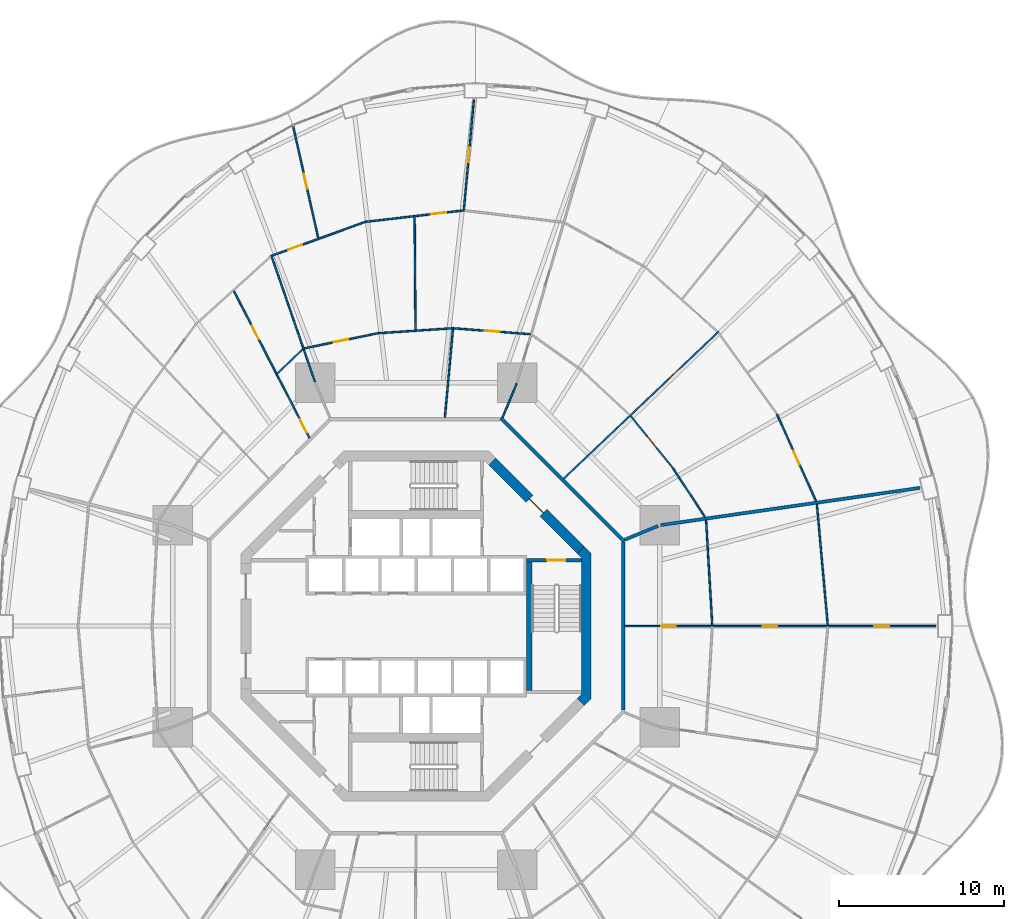
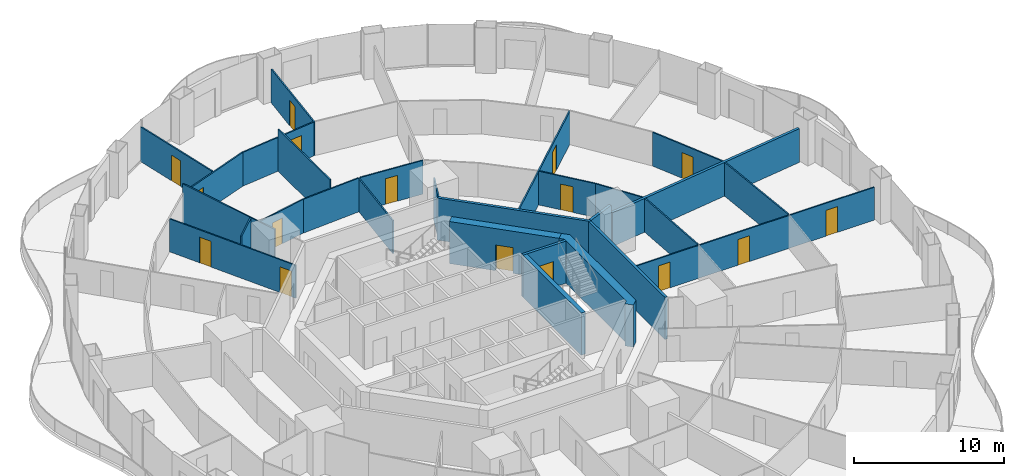
# One storey, part 18 of 22: 28 walls, 16 doors, 16 openings.
"""IFC4 building model written with IfcOpenShell, lengths in metres."""

from ifc_helpers import new_model, si_unit, direction, frame, frame_2d, origin, place, context, subcontext, project, spatial, polyline, rectangle, outline, extrude, material, layer, layer_set, type_object, element, fill, save


model = new_model("IFC4")

# Units and contexts
model_context = context("Model", 3, precision=1e-05, world=origin(), true_north=direction((0.0, 1.0)))
body_context = subcontext(model_context, "Body", "Model", "MODEL_VIEW")
ifc_project = project(units=[si_unit("LENGTHUNIT", "METRE"), si_unit("AREAUNIT", "SQUARE_METRE"), si_unit("VOLUMEUNIT", "CUBIC_METRE"), si_unit("PLANEANGLEUNIT", "RADIAN"), si_unit("MASSUNIT", "GRAM", prefix="KILO")], contexts=[model_context])

# Site, building, storey
site_placement = place(None, origin())
site = spatial("IfcSite", under=ifc_project, at=site_placement, CompositionType="ELEMENT")
building_placement = place(site_placement, origin())
building = spatial("IfcBuilding", under=site, at=building_placement, Name="Nagisa Residences", CompositionType="ELEMENT")
storey_placement = place(building_placement, frame((0.0, 0.0, 41.800048828125)))
storey = spatial("IfcBuildingStorey", under=building, at=storey_placement, Name="L09", CompositionType="ELEMENT", Elevation=41.800048828125)

# Walls
ifc_material_1 = material(Name="Gypsum board on steel studs", Category="steel")
ifc_layer_1 = layer(ifc_material_1, 0.199951171875)
ifc_layer_set_1 = layer_set([ifc_layer_1], Name="Apartment compartment wall EI60 200")
wall_type_1 = type_object("IfcWallType", Name="Apartment compartment wall EI60 200", PredefinedType="PARTITIONING", material=ifc_layer_set_1)
wall_1_placement = place(storey_placement, frame((12.6572265625, 5.24267578125, 0.0), z_axis=(0.0, 0.0, 1.0), x_axis=(0.923853160736, 0.382747093259, 0.0)))
element("IfcWall", 1, at=wall_1_placement, inside=storey, type_object=wall_type_1, Name="wall:L09:u00", PredefinedType="PARTITIONING", context=body_context, shape_type="SweptSolid", body=[
    extrude(rectangle(XDim=2.199951171875, YDim=0.199951171875, at=frame_2d((1.10009765625, 0.0))), origin(), (0.0, 0.0, 1.0), 3.43994140625),
])
wall_2_placement = place(storey_placement, frame((14.83154296875, 6.130126953125, 0.0), z_axis=(0.0, 0.0, 1.0), x_axis=(0.989836541293, 0.142209779978, 0.0)))
element("IfcWall", 2, at=wall_2_placement, inside=storey, type_object=wall_type_1, Name="wall:L09:u01", PredefinedType="PARTITIONING", context=body_context, shape_type="SweptSolid", body=[
    extrude(rectangle(XDim=15.9091796875, YDim=0.199951171875, at=frame_2d((7.95458984375, 0.0))), origin(), (0.0, 0.0, 1.0), 2.755859375),
])
ifc_material_2 = material(Name="Gypsum board on steel studs", Category="steel")
ifc_layer_2 = layer(ifc_material_2, 0.199951171875)
ifc_layer_set_2 = layer_set([ifc_layer_2], Name="Apartment entry wall EI60 200")
wall_type_2 = type_object("IfcWallType", Name="Apartment entry wall EI60 200", PredefinedType="PARTITIONING", material=ifc_layer_set_2)
wall_3_placement = place(storey_placement, frame((12.564697265625, -5.1044921875, 0.0), z_axis=(0.0, 0.0, 1.0), x_axis=(0.0, 1.0, 0.0)))
element("IfcWall", 3, at=wall_3_placement, inside=storey, type_object=wall_type_2, Name="wall:L09:u06", PredefinedType="PARTITIONING", context=body_context, shape_type="SweptSolid", body=[
    extrude(rectangle(XDim=10.208984375, YDim=0.199951171875, at=frame_2d((5.1044921875, 0.0))), origin(), (0.0, 0.0, 1.0), 3.43994140625),
])
wall_4_placement = place(storey_placement, frame((12.635498046875, 5.1337890625, 0.0), z_axis=(0.0, 0.0, 1.0), x_axis=(-0.707106781187, 0.707106781187, 0.0)))
element("IfcWall", 4, at=wall_4_placement, inside=storey, type_object=wall_type_2, Name="wall:L09:u07", PredefinedType="PARTITIONING", context=body_context, shape_type="SweptSolid", body=[
    extrude(rectangle(XDim=10.609130859375, YDim=0.199951171875, at=frame_2d((5.3046875, 0.0))), origin(), (0.0, 0.0, 1.0), 3.43994140625),
])

# Wall, openings, doors
ifc_material_3 = material(Name="Gypsum board on steel studs", Category="steel")
ifc_layer_3 = layer(ifc_material_3, 0.10009765625)
ifc_layer_set_3 = layer_set([ifc_layer_3], Name="Apartment partition 100")
wall_type_3 = type_object("IfcWallType", Name="Apartment partition 100", PredefinedType="PARTITIONING", material=ifc_layer_set_3)
wall_5_placement = place(storey_placement, frame((12.664794921875, 0.0, 0.0), z_axis=(0.0, 0.0, 1.0), x_axis=(1.0, 0.0, 0.0)))
wall_5 = element("IfcWall", 5, at=wall_5_placement, inside=storey, type_object=wall_type_3, Name="wall:L09:u14", PredefinedType="PARTITIONING", context=body_context, shape_type="SweptSolid", body=[
    extrude(rectangle(XDim=18.88525390625, YDim=0.10009765625, at=frame_2d((9.442626953125, 0.0))), origin(), (0.0, 0.0, 1.0), 2.68701171875),
])
opening_1_placement = place(wall_5_placement, frame((2.204833984375, 0.0, 0.0)))
opening_1 = element("IfcOpeningElement", 6, at=opening_1_placement, cuts=wall_5, Name="Opening L09-U41", PredefinedType="OPENING", context=body_context, shape_type="SweptSolid", body=[
    extrude(rectangle(XDim=0.89990234375, YDim=2.10009765625, at=frame_2d((0.449951171875, 1.050048828125))), frame((0.0, 0.06005859375, 0.0), z_axis=(0.0, -1.0, 0.0), x_axis=(1.0, 0.0, 0.0)), (0.0, 0.0, 1.0), 0.1201171875),
])
opening_2_placement = place(wall_5_placement, frame((8.36572265625, 0.0, 0.0)))
opening_2 = element("IfcOpeningElement", 7, at=opening_2_placement, cuts=wall_5, Name="Opening L09-U45", PredefinedType="OPENING", context=body_context, shape_type="SweptSolid", body=[
    extrude(rectangle(XDim=0.89990234375, YDim=2.10009765625, at=frame_2d((0.449951171875, 1.050048828125))), frame((0.0, 0.06005859375, 0.0), z_axis=(0.0, -1.0, 0.0), x_axis=(1.0, 0.0, 0.0)), (0.0, 0.0, 1.0), 0.1201171875),
])
opening_3_placement = place(wall_5_placement, frame((15.153564453125, 0.0, 0.0)))
opening_3 = element("IfcOpeningElement", 8, at=opening_3_placement, cuts=wall_5, Name="Opening L09-U49", PredefinedType="OPENING", context=body_context, shape_type="SweptSolid", body=[
    extrude(rectangle(XDim=0.89990234375, YDim=2.10009765625, at=frame_2d((0.449951171875, 1.050048828125))), frame((0.0, 0.06005859375, 0.0), z_axis=(0.0, -1.0, 0.0), x_axis=(1.0, 0.0, 0.0)), (0.0, 0.0, 1.0), 0.1201171875),
])
ifc_material_4 = material(Name="Timber door set", Category="wood")
door_type_1 = type_object("IfcDoorType", Name="Apartment door 900x2100", OperationType="NOTDEFINED", PredefinedType="DOOR", material=ifc_material_4)
door_1_placement = place(opening_1_placement, origin())
door_1 = element("IfcDoor", 9, at=door_1_placement, inside=storey, type_object=door_type_1, Name="Door to store, Apartment 09C", OperationType="SINGLE_SWING_LEFT", OverallHeight=2.10009765625, OverallWidth=0.89990234375, PredefinedType="DOOR", context=body_context, shape_type="SweptSolid", body=[
    extrude(rectangle(XDim=0.89990234375, YDim=2.10009765625, at=frame_2d((0.449951171875, 1.050048828125))), frame((0.0, 0.02490234375, 0.0), z_axis=(0.0, -1.0, 0.0), x_axis=(1.0, 0.0, 0.0)), (0.0, 0.0, 1.0), 0.050048828125),
])
fill(opening_1, door_1)
door_2_placement = place(opening_2_placement, origin())
door_2 = element("IfcDoor", 10, at=door_2_placement, inside=storey, type_object=door_type_1, Name="Door to family room, Apartment 09C", OperationType="SINGLE_SWING_LEFT", OverallHeight=2.10009765625, OverallWidth=0.89990234375, PredefinedType="DOOR", context=body_context, shape_type="SweptSolid", body=[
    extrude(rectangle(XDim=0.89990234375, YDim=2.10009765625, at=frame_2d((0.449951171875, 1.050048828125))), frame((0.0, 0.02490234375, 0.0), z_axis=(0.0, -1.0, 0.0), x_axis=(1.0, 0.0, 0.0)), (0.0, 0.0, 1.0), 0.050048828125),
])
fill(opening_2, door_2)
door_3_placement = place(opening_3_placement, origin())
door_3 = element("IfcDoor", 11, at=door_3_placement, inside=storey, type_object=door_type_1, Name="Door to family room, Apartment 09C", OperationType="SINGLE_SWING_LEFT", OverallHeight=2.10009765625, OverallWidth=0.89990234375, PredefinedType="DOOR", context=body_context, shape_type="SweptSolid", body=[
    extrude(rectangle(XDim=0.89990234375, YDim=2.10009765625, at=frame_2d((0.449951171875, 1.050048828125))), frame((0.0, 0.02490234375, 0.0), z_axis=(0.0, -1.0, 0.0), x_axis=(1.0, 0.0, 0.0)), (0.0, 0.0, 1.0), 0.050048828125),
])
fill(opening_3, door_3)

# Walls
wall_6_placement = place(storey_placement, frame((17.971435546875, 0.0498046875, 0.0), z_axis=(0.0, 0.0, 1.0), x_axis=(-0.058513659907, 0.998286607946, 0.0)))
element("IfcWall", 12, at=wall_6_placement, inside=storey, type_object=wall_type_3, Name="wall:L09:u15", PredefinedType="PARTITIONING", context=body_context, shape_type="SweptSolid", body=[
    extrude(rectangle(XDim=6.387939453125, YDim=0.10009765625, at=frame_2d((3.19384765625, 0.0))), origin(), (0.0, 0.0, 1.0), 2.755859375),
])
wall_7_placement = place(storey_placement, frame((24.982177734375, 0.0498046875, 0.0), z_axis=(0.0, 0.0, 1.0), x_axis=(-0.08944290521, 0.995991951126, 0.0)))
element("IfcWall", 13, at=wall_7_placement, inside=storey, type_object=wall_type_3, Name="wall:L09:u17", PredefinedType="PARTITIONING", context=body_context, shape_type="SweptSolid", body=[
    extrude(rectangle(XDim=7.37255859375, YDim=0.10009765625, at=frame_2d((3.686279296875, 0.0))), origin(), (0.0, 0.0, 1.0), 2.755859375),
])
wall_8_placement = place(storey_placement, frame((17.537109375, 6.6103515625, 0.0), z_axis=(0.0, 0.0, 1.0), x_axis=(-0.547637987196, 0.836715384692, 0.0)))
element("IfcWall", 14, at=wall_8_placement, inside=storey, type_object=wall_type_3, Name="wall:L09:u19", PredefinedType="PARTITIONING", context=body_context, shape_type="SweptSolid", body=[
    extrude(rectangle(XDim=3.52001953125, YDim=0.10009765625, at=frame_2d((1.760009765625, 0.0))), origin(), (0.0, 0.0, 1.0), 2.755859375),
])

# Wall, opening, door
wall_9_placement = place(storey_placement, frame((24.272705078125, 7.583740234375, 0.0), z_axis=(0.0, 0.0, 1.0), x_axis=(-0.410201529109, 0.911994904326, 0.0)))
wall_9 = element("IfcWall", 15, at=wall_9_placement, inside=storey, type_object=wall_type_3, Name="wall:L09:u20", PredefinedType="PARTITIONING", context=body_context, shape_type="SweptSolid", body=[
    extrude(rectangle(XDim=5.786865234375, YDim=0.10009765625, at=frame_2d((2.8935546875, 0.0))), origin(), (0.0, 0.0, 1.0), 2.755859375),
])
opening_4_placement = place(wall_9_placement, frame((2.443603515625, 0.0, 0.0)))
opening_4 = element("IfcOpeningElement", 16, at=opening_4_placement, cuts=wall_9, Name="Opening L09-U19", PredefinedType="OPENING", context=body_context, shape_type="SweptSolid", body=[
    extrude(rectangle(XDim=0.89990234375, YDim=2.10009765625, at=frame_2d((0.449951171875, 1.050048828125))), frame((0.0, 0.06005859375, 0.0), z_axis=(0.0, -1.0, 0.0), x_axis=(1.0, 0.0, 0.0)), (0.0, 0.0, 1.0), 0.1201171875),
])
door_4_placement = place(opening_4_placement, frame((0.89990234375, 0.0, 0.0), x_axis=(-1.0, 0.0, 0.0)))
door_4 = element("IfcDoor", 17, at=door_4_placement, inside=storey, type_object=door_type_1, Name="Door to family room, Apartment 09A", OperationType="SINGLE_SWING_RIGHT", OverallHeight=2.10009765625, OverallWidth=0.89990234375, PredefinedType="DOOR", context=body_context, shape_type="SweptSolid", body=[
    extrude(rectangle(XDim=0.89990234375, YDim=2.10009765625, at=frame_2d((0.449951171875, 1.050048828125))), frame((0.0, 0.02490234375, 0.0), z_axis=(0.0, -1.0, 0.0), x_axis=(1.0, 0.0, 0.0)), (0.0, 0.0, 1.0), 0.050048828125),
])
fill(opening_4, door_4)

wall_10_placement = place(storey_placement, frame((15.613525390625, 9.55859375, 0.0), z_axis=(0.0, 0.0, 1.0), x_axis=(-0.63012473344, 0.776493928056, 0.0)))
wall_10 = element("IfcWall", 18, at=wall_10_placement, inside=storey, type_object=wall_type_3, Name="wall:L09:u21", PredefinedType="PARTITIONING", context=body_context, shape_type="SweptSolid", body=[
    extrude(rectangle(XDim=4.1064453125, YDim=0.10009765625, at=frame_2d((2.05322265625, 0.0))), origin(), (0.0, 0.0, 1.0), 2.755859375),
])
opening_5_placement = place(wall_10_placement, frame((1.628173828125, 0.0, 0.0)))
opening_5 = element("IfcOpeningElement", 19, at=opening_5_placement, cuts=wall_10, Name="Opening L09-U20", PredefinedType="OPENING", context=body_context, shape_type="SweptSolid", body=[
    extrude(rectangle(XDim=0.89990234375, YDim=2.10009765625, at=frame_2d((0.449951171875, 1.050048828125))), frame((0.0, 0.06005859375, 0.0), z_axis=(0.0, -1.0, 0.0), x_axis=(1.0, 0.0, 0.0)), (0.0, 0.0, 1.0), 0.1201171875),
])
door_5_placement = place(opening_5_placement, origin())
door_5 = element("IfcDoor", 20, at=door_5_placement, inside=storey, type_object=door_type_1, Name="Door to laundry, Apartment 09A", OperationType="SINGLE_SWING_RIGHT", OverallHeight=2.10009765625, OverallWidth=0.89990234375, PredefinedType="DOOR", context=body_context, shape_type="SweptSolid", body=[
    extrude(rectangle(XDim=0.89990234375, YDim=2.10009765625, at=frame_2d((0.449951171875, 1.050048828125))), frame((0.0, 0.02490234375, 0.0), z_axis=(0.0, -1.0, 0.0), x_axis=(1.0, 0.0, 0.0)), (0.0, 0.0, 1.0), 0.050048828125),
])
fill(opening_5, door_5)

wall_11_placement = place(storey_placement, frame((8.95703125, 8.953369140625, 0.0), z_axis=(0.0, 0.0, 1.0), x_axis=(0.725250022034, 0.688485588476, 0.0)))
wall_11 = element("IfcWall", 21, at=wall_11_placement, inside=storey, type_object=wall_type_3, Name="wall:L09:u24", PredefinedType="PARTITIONING", context=body_context, shape_type="SweptSolid", body=[
    extrude(rectangle(XDim=12.962646484375, YDim=0.10009765625, at=frame_2d((6.4814453125, 0.0))), origin(), (0.0, 0.0, 1.0), 2.68701171875),
])
opening_6_placement = place(wall_11_placement, frame((8.78955078125, 0.0, 0.0)))
opening_6 = element("IfcOpeningElement", 22, at=opening_6_placement, cuts=wall_11, Name="Opening L09-U18", PredefinedType="OPENING", context=body_context, shape_type="SweptSolid", body=[
    extrude(rectangle(XDim=0.89990234375, YDim=2.10009765625, at=frame_2d((0.449951171875, 1.050048828125))), frame((0.0, 0.06005859375, 0.0), z_axis=(0.0, -1.0, 0.0), x_axis=(1.0, 0.0, 0.0)), (0.0, 0.0, 1.0), 0.1201171875),
])
door_6_placement = place(opening_6_placement, frame((0.89990234375, 0.0, 0.0), x_axis=(-1.0, 0.0, 0.0)))
door_6 = element("IfcDoor", 23, at=door_6_placement, inside=storey, type_object=door_type_1, Name="Door to dining room, Apartment 09A", OperationType="SINGLE_SWING_LEFT", OverallHeight=2.10009765625, OverallWidth=0.89990234375, PredefinedType="DOOR", context=body_context, shape_type="SweptSolid", body=[
    extrude(rectangle(XDim=0.89990234375, YDim=2.10009765625, at=frame_2d((0.449951171875, 1.050048828125))), frame((0.0, 0.02490234375, 0.0), z_axis=(0.0, -1.0, 0.0), x_axis=(1.0, 0.0, 0.0)), (0.0, 0.0, 1.0), 0.050048828125),
])
fill(opening_6, door_6)

# Wall
wall_12_placement = place(storey_placement, frame((5.24267578125, 12.6572265625, 0.0), z_axis=(0.0, 0.0, 1.0), x_axis=(0.382719158442, 0.923864733477, 0.0)))
element("IfcWall", 24, at=wall_12_placement, inside=storey, type_object=wall_type_3, Name="wall:L09:u30", PredefinedType="PARTITIONING", context=body_context, shape_type="SweptSolid", body=[
    extrude(rectangle(XDim=2.25, YDim=0.10009765625, at=frame_2d((1.125, 0.0))), origin(), (0.0, 0.0, 1.0), 3.43994140625),
])

# Wall, opening, door
wall_13_placement = place(storey_placement, frame((6.92822265625, 17.71923828125, 0.0), z_axis=(0.0, 0.0, 1.0), x_axis=(-0.997017959142, 0.077169872028, 0.0)))
wall_13 = element("IfcWall", 25, at=wall_13_placement, inside=storey, type_object=wall_type_3, Name="wall:L09:u32", PredefinedType="PARTITIONING", context=body_context, shape_type="SweptSolid", body=[
    extrude(rectangle(XDim=4.65380859375, YDim=0.10009765625, at=frame_2d((2.326904296875, 0.0))), origin(), (0.0, 0.0, 1.0), 2.755859375),
])
opening_7_placement = place(wall_13_placement, frame((1.876953125, 0.0, 0.0)))
opening_7 = element("IfcOpeningElement", 26, at=opening_7_placement, cuts=wall_13, Name="Opening L09-U13", PredefinedType="OPENING", context=body_context, shape_type="SweptSolid", body=[
    extrude(rectangle(XDim=0.89990234375, YDim=2.10009765625, at=frame_2d((0.449951171875, 1.050048828125))), frame((0.0, 0.06005859375, 0.0), z_axis=(0.0, -1.0, 0.0), x_axis=(1.0, 0.0, 0.0)), (0.0, 0.0, 1.0), 0.1201171875),
])
door_7_placement = place(opening_7_placement, origin())
door_7 = element("IfcDoor", 27, at=door_7_placement, inside=storey, type_object=door_type_1, Name="Door to laundry, Apartment 09A", OperationType="SINGLE_SWING_LEFT", OverallHeight=2.10009765625, OverallWidth=0.89990234375, PredefinedType="DOOR", context=body_context, shape_type="SweptSolid", body=[
    extrude(rectangle(XDim=0.89990234375, YDim=2.10009765625, at=frame_2d((0.449951171875, 1.050048828125))), frame((0.0, 0.02490234375, 0.0), z_axis=(0.0, -1.0, 0.0), x_axis=(1.0, 0.0, 0.0)), (0.0, 0.0, 1.0), 0.050048828125),
])
fill(opening_7, door_7)

# Walls
wall_14_placement = place(storey_placement, frame((1.743896484375, 12.664306640625, 0.0), z_axis=(0.0, 0.0, 1.0), x_axis=(0.090888552747, 0.995861070119, 0.0)))
element("IfcWall", 28, at=wall_14_placement, inside=storey, type_object=wall_type_3, Name="wall:L09:u34", PredefinedType="PARTITIONING", context=body_context, shape_type="SweptSolid", body=[
    extrude(rectangle(XDim=5.490478515625, YDim=0.10009765625, at=frame_2d((2.7451171875, 0.0))), origin(), (0.0, 0.0, 1.0), 2.68701171875),
])
wall_15_placement = place(storey_placement, frame((2.1884765625, 18.078857421875, 0.0), z_axis=(0.0, 0.0, 1.0), x_axis=(-0.997791437766, -0.066424744789, 0.0)))
element("IfcWall", 29, at=wall_15_placement, inside=storey, type_object=wall_type_3, Name="wall:L09:u35", PredefinedType="PARTITIONING", context=body_context, shape_type="SweptSolid", body=[
    extrude(rectangle(XDim=4.46923828125, YDim=0.10009765625, at=frame_2d((2.234619140625, 0.0))), origin(), (0.0, 0.0, 1.0), 2.755859375),
])

# Wall, opening, door
wall_16_placement = place(storey_placement, frame((2.88671875, 25.184814453125, 0.0), z_axis=(0.0, 0.0, 1.0), x_axis=(0.090885272046, 0.995861369531, 0.0)))
wall_16 = element("IfcWall", 30, at=wall_16_placement, inside=storey, type_object=wall_type_3, Name="wall:L09:u36", PredefinedType="PARTITIONING", context=body_context, shape_type="SweptSolid", body=[
    extrude(rectangle(XDim=6.801513671875, YDim=0.10009765625, at=frame_2d((3.40087890625, 0.0))), origin(), (0.0, 0.0, 1.0), 2.755859375),
])
opening_8_placement = place(wall_16_placement, frame((2.975830078125, 0.0, 0.0)))
opening_8 = element("IfcOpeningElement", 31, at=opening_8_placement, cuts=wall_16, Name="Opening L09-U12", PredefinedType="OPENING", context=body_context, shape_type="SweptSolid", body=[
    extrude(rectangle(XDim=0.89990234375, YDim=2.10009765625, at=frame_2d((0.449951171875, 1.050048828125))), frame((0.0, 0.06005859375, 0.0), z_axis=(0.0, -1.0, 0.0), x_axis=(1.0, 0.0, 0.0)), (0.0, 0.0, 1.0), 0.1201171875),
])
door_8_placement = place(opening_8_placement, frame((0.89990234375, 0.0, 0.0), x_axis=(-1.0, 0.0, 0.0)))
door_8 = element("IfcDoor", 32, at=door_8_placement, inside=storey, type_object=door_type_1, Name="Door to master bedroom, Apartment 09A", OperationType="SINGLE_SWING_LEFT", OverallHeight=2.10009765625, OverallWidth=0.89990234375, PredefinedType="DOOR", context=body_context, shape_type="SweptSolid", body=[
    extrude(rectangle(XDim=0.89990234375, YDim=2.10009765625, at=frame_2d((0.449951171875, 1.050048828125))), frame((0.0, 0.02490234375, 0.0), z_axis=(0.0, -1.0, 0.0), x_axis=(1.0, 0.0, 0.0)), (0.0, 0.0, 1.0), 0.050048828125),
])
fill(opening_8, door_8)

wall_17_placement = place(storey_placement, frame((2.841552734375, 25.228759765625, 0.0), z_axis=(0.0, 0.0, 1.0), x_axis=(-0.993255612046, -0.115945198862, 0.0)))
wall_17 = element("IfcWall", 33, at=wall_17_placement, inside=storey, type_object=wall_type_3, Name="wall:L09:u37", PredefinedType="PARTITIONING", context=body_context, shape_type="SweptSolid", body=[
    extrude(rectangle(XDim=5.91259765625, YDim=0.10009765625, at=frame_2d((2.956298828125, 0.0))), origin(), (0.0, 0.0, 1.0), 2.755859375),
])
opening_9_placement = place(wall_17_placement, frame((1.028076171875, 0.0, 0.0)))
opening_9 = element("IfcOpeningElement", 34, at=opening_9_placement, cuts=wall_17, Name="Opening L09-U11", PredefinedType="OPENING", context=body_context, shape_type="SweptSolid", body=[
    extrude(rectangle(XDim=0.89990234375, YDim=2.10009765625, at=frame_2d((0.449951171875, 1.050048828125))), frame((0.0, 0.06005859375, 0.0), z_axis=(0.0, -1.0, 0.0), x_axis=(1.0, 0.0, 0.0)), (0.0, 0.0, 1.0), 0.1201171875),
])
door_9_placement = place(opening_9_placement, origin())
door_9 = element("IfcDoor", 35, at=door_9_placement, inside=storey, type_object=door_type_1, Name="Door to dining room, Apartment 09A", OperationType="SINGLE_SWING_LEFT", OverallHeight=2.10009765625, OverallWidth=0.89990234375, PredefinedType="DOOR", context=body_context, shape_type="SweptSolid", body=[
    extrude(rectangle(XDim=0.89990234375, YDim=2.10009765625, at=frame_2d((0.449951171875, 1.050048828125))), frame((0.0, 0.02490234375, 0.0), z_axis=(0.0, -1.0, 0.0), x_axis=(1.0, 0.0, 0.0)), (0.0, 0.0, 1.0), 0.050048828125),
])
fill(opening_9, door_9)

# Wall
wall_18_placement = place(storey_placement, frame((-0.041748046875, 17.98046875, 0.0), z_axis=(0.0, 0.0, 1.0), x_axis=(-0.007692080119, 0.999970415514, 0.0)))
element("IfcWall", 36, at=wall_18_placement, inside=storey, type_object=wall_type_3, Name="wall:L09:u38", PredefinedType="PARTITIONING", context=body_context, shape_type="SweptSolid", body=[
    extrude(rectangle(XDim=6.855712890625, YDim=0.10009765625, at=frame_2d((3.427734375, 0.0))), origin(), (0.0, 0.0, 1.0), 3.43994140625),
])

# Wall, opening, door
wall_19_placement = place(storey_placement, frame((-2.27197265625, 17.788818359375, 0.0), z_axis=(0.0, 0.0, 1.0), x_axis=(-0.979587203416, -0.2010196779, 0.0)))
wall_19 = element("IfcWall", 37, at=wall_19_placement, inside=storey, type_object=wall_type_3, Name="wall:L09:u39", PredefinedType="PARTITIONING", context=body_context, shape_type="SweptSolid", body=[
    extrude(rectangle(XDim=4.61279296875, YDim=0.10009765625, at=frame_2d((2.306396484375, 0.0))), origin(), (0.0, 0.0, 1.0), 2.755859375),
])
opening_10_placement = place(wall_19_placement, frame((1.88134765625, 0.0, 0.0)))
opening_10 = element("IfcOpeningElement", 38, at=opening_10_placement, cuts=wall_19, Name="Opening L09-U10", PredefinedType="OPENING", context=body_context, shape_type="SweptSolid", body=[
    extrude(rectangle(XDim=0.89990234375, YDim=2.10009765625, at=frame_2d((0.449951171875, 1.050048828125))), frame((0.0, 0.06005859375, 0.0), z_axis=(0.0, -1.0, 0.0), x_axis=(1.0, 0.0, 0.0)), (0.0, 0.0, 1.0), 0.1201171875),
])
door_10_placement = place(opening_10_placement, origin())
door_10 = element("IfcDoor", 39, at=door_10_placement, inside=storey, type_object=door_type_1, Name="Door to store, Apartment 09A", OperationType="SINGLE_SWING_RIGHT", OverallHeight=2.10009765625, OverallWidth=0.89990234375, PredefinedType="DOOR", context=body_context, shape_type="SweptSolid", body=[
    extrude(rectangle(XDim=0.89990234375, YDim=2.10009765625, at=frame_2d((0.449951171875, 1.050048828125))), frame((0.0, 0.02490234375, 0.0), z_axis=(0.0, -1.0, 0.0), x_axis=(1.0, 0.0, 0.0)), (0.0, 0.0, 1.0), 0.050048828125),
])
fill(opening_10, door_10)

wall_20_placement = place(storey_placement, frame((-3.03369140625, 24.554443359375, 0.0), z_axis=(0.0, 0.0, 1.0), x_axis=(-0.940401691072, -0.340065669288, 0.0)))
wall_20 = element("IfcWall", 40, at=wall_20_placement, inside=storey, type_object=wall_type_3, Name="wall:L09:u40", PredefinedType="PARTITIONING", context=body_context, shape_type="SweptSolid", body=[
    extrude(rectangle(XDim=6.067138671875, YDim=0.10009765625, at=frame_2d((3.03369140625, 0.0))), origin(), (0.0, 0.0, 1.0), 2.755859375),
])
opening_11_placement = place(wall_20_placement, frame((4.125244140625, 0.0, 0.0)))
opening_11 = element("IfcOpeningElement", 41, at=opening_11_placement, cuts=wall_20, Name="Opening L09-U08", PredefinedType="OPENING", context=body_context, shape_type="SweptSolid", body=[
    extrude(rectangle(XDim=0.89990234375, YDim=2.10009765625, at=frame_2d((0.449951171875, 1.050048828125))), frame((0.0, 0.06005859375, 0.0), z_axis=(0.0, -1.0, 0.0), x_axis=(1.0, 0.0, 0.0)), (0.0, 0.0, 1.0), 0.1201171875),
])
door_11_placement = place(opening_11_placement, origin())
door_11 = element("IfcDoor", 42, at=door_11_placement, inside=storey, type_object=door_type_1, Name="Door to family room, Apartment 09A", OperationType="SINGLE_SWING_RIGHT", OverallHeight=2.10009765625, OverallWidth=0.89990234375, PredefinedType="DOOR", context=body_context, shape_type="SweptSolid", body=[
    extrude(rectangle(XDim=0.89990234375, YDim=2.10009765625, at=frame_2d((0.449951171875, 1.050048828125))), frame((0.0, 0.02490234375, 0.0), z_axis=(0.0, -1.0, 0.0), x_axis=(1.0, 0.0, 0.0)), (0.0, 0.0, 1.0), 0.050048828125),
])
fill(opening_11, door_11)

wall_21_placement = place(storey_placement, frame((-5.944580078125, 23.5546875, 0.0), z_axis=(0.0, 0.0, 1.0), x_axis=(-0.218598565433, 0.975814873421, 0.0)))
wall_21 = element("IfcWall", 43, at=wall_21_placement, inside=storey, type_object=wall_type_3, Name="wall:L09:u41", PredefinedType="PARTITIONING", context=body_context, shape_type="SweptSolid", body=[
    extrude(rectangle(XDim=7.065185546875, YDim=0.10009765625, at=frame_2d((3.53271484375, 0.0))), origin(), (0.0, 0.0, 1.0), 2.8369140625),
])
opening_12_placement = place(wall_21_placement, frame((3.08251953125, 0.0, 0.0)))
opening_12 = element("IfcOpeningElement", 44, at=opening_12_placement, cuts=wall_21, Name="Opening L09-U09", PredefinedType="OPENING", context=body_context, shape_type="SweptSolid", body=[
    extrude(rectangle(XDim=0.89990234375, YDim=2.10009765625, at=frame_2d((0.449951171875, 1.050048828125))), frame((0.0, 0.06005859375, 0.0), z_axis=(0.0, -1.0, 0.0), x_axis=(1.0, 0.0, 0.0)), (0.0, 0.0, 1.0), 0.1201171875),
])
door_12_placement = place(opening_12_placement, frame((0.89990234375, 0.0, 0.0), x_axis=(-1.0, 0.0, 0.0)))
door_12 = element("IfcDoor", 45, at=door_12_placement, inside=storey, type_object=door_type_1, Name="Door to living room, Apartment 09A", OperationType="SINGLE_SWING_RIGHT", OverallHeight=2.10009765625, OverallWidth=0.89990234375, PredefinedType="DOOR", context=body_context, shape_type="SweptSolid", body=[
    extrude(rectangle(XDim=0.89990234375, YDim=2.10009765625, at=frame_2d((0.449951171875, 1.050048828125))), frame((0.0, 0.02490234375, 0.0), z_axis=(0.0, -1.0, 0.0), x_axis=(1.0, 0.0, 0.0)), (0.0, 0.0, 1.0), 0.050048828125),
])
fill(opening_12, door_12)

# Walls
wall_22_placement = place(storey_placement, frame((-6.139404296875, 14.829345703125, 0.0), z_axis=(0.0, 0.0, 1.0), x_axis=(-0.327183700812, 0.944960753642, 0.0)))
element("IfcWall", 46, at=wall_22_placement, inside=storey, type_object=wall_type_3, Name="wall:L09:u43", PredefinedType="PARTITIONING", context=body_context, shape_type="SweptSolid", body=[
    extrude(rectangle(XDim=8.14013671875, YDim=0.10009765625, at=frame_2d((4.070068359375, 0.0))), origin(), (0.0, 0.0, 1.0), 3.43994140625),
])
wall_23_placement = place(storey_placement, frame((-6.875732421875, 16.817138671875, 0.0), z_axis=(0.0, 0.0, 1.0), x_axis=(-0.722762371977, -0.691096631199, 0.0)))
element("IfcWall", 47, at=wall_23_placement, inside=storey, type_object=wall_type_3, Name="wall:L09:u44", PredefinedType="PARTITIONING", context=body_context, shape_type="SweptSolid", body=[
    extrude(rectangle(XDim=2.24365234375, YDim=0.10009765625, at=frame_2d((1.121826171875, 0.0))), origin(), (0.0, 0.0, 1.0), 3.43994140625),
])

# Wall, openings, doors
wall_24_placement = place(storey_placement, frame((-6.47705078125, 11.427001953125, 0.0), z_axis=(0.0, 0.0, 1.0), x_axis=(-0.457464037982, 0.889228122561, 0.0)))
wall_24 = element("IfcWall", 48, at=wall_24_placement, inside=storey, type_object=wall_type_3, Name="wall:L09:u46", PredefinedType="PARTITIONING", context=body_context, shape_type="SweptSolid", body=[
    extrude(rectangle(XDim=10.03173828125, YDim=0.10009765625, at=frame_2d((5.015869140625, 0.0))), origin(), (0.0, 0.0, 1.0), 2.68701171875),
])
opening_13_placement = place(wall_24_placement, frame((0.35009765625, 0.0, 0.0)))
opening_13 = element("IfcOpeningElement", 49, at=opening_13_placement, cuts=wall_24, Name="Opening L09-U02", PredefinedType="OPENING", context=body_context, shape_type="SweptSolid", body=[
    extrude(rectangle(XDim=0.89990234375, YDim=2.10009765625, at=frame_2d((0.449951171875, 1.050048828125))), frame((0.0, 0.06005859375, 0.0), z_axis=(0.0, -1.0, 0.0), x_axis=(1.0, 0.0, 0.0)), (0.0, 0.0, 1.0), 0.1201171875),
])
opening_14_placement = place(wall_24_placement, frame((6.735107421875, 0.0, 0.0)))
opening_14 = element("IfcOpeningElement", 50, at=opening_14_placement, cuts=wall_24, Name="Opening L09-U04", PredefinedType="OPENING", context=body_context, shape_type="SweptSolid", body=[
    extrude(rectangle(XDim=0.89990234375, YDim=2.10009765625, at=frame_2d((0.449951171875, 1.050048828125))), frame((0.0, 0.06005859375, 0.0), z_axis=(0.0, -1.0, 0.0), x_axis=(1.0, 0.0, 0.0)), (0.0, 0.0, 1.0), 0.1201171875),
])
door_13_placement = place(opening_13_placement, frame((0.89990234375, 0.0, 0.0), x_axis=(-1.0, 0.0, 0.0)))
door_13 = element("IfcDoor", 51, at=door_13_placement, inside=storey, type_object=door_type_1, Name="Door to family bathroom, Apartment 09A", OperationType="SINGLE_SWING_LEFT", OverallHeight=2.10009765625, OverallWidth=0.89990234375, PredefinedType="DOOR", context=body_context, shape_type="SweptSolid", body=[
    extrude(rectangle(XDim=0.89990234375, YDim=2.10009765625, at=frame_2d((0.449951171875, 1.050048828125))), frame((0.0, 0.02490234375, 0.0), z_axis=(0.0, -1.0, 0.0), x_axis=(1.0, 0.0, 0.0)), (0.0, 0.0, 1.0), 0.050048828125),
])
fill(opening_13, door_13)
door_14_placement = place(opening_14_placement, frame((0.89990234375, 0.0, 0.0), x_axis=(-1.0, 0.0, 0.0)))
door_14 = element("IfcDoor", 52, at=door_14_placement, inside=storey, type_object=door_type_1, Name="Door to family bathroom, Apartment 09A", OperationType="SINGLE_SWING_LEFT", OverallHeight=2.10009765625, OverallWidth=0.89990234375, PredefinedType="DOOR", context=body_context, shape_type="SweptSolid", body=[
    extrude(rectangle(XDim=0.89990234375, YDim=2.10009765625, at=frame_2d((0.449951171875, 1.050048828125))), frame((0.0, 0.02490234375, 0.0), z_axis=(0.0, -1.0, 0.0), x_axis=(1.0, 0.0, 0.0)), (0.0, 0.0, 1.0), 0.050048828125),
])
fill(opening_14, door_14)

# Wall, opening, door
ifc_material_5 = material(Name="Concrete C60", Category="concrete")
ifc_layer_4 = layer(ifc_material_5, 0.60009765625)
ifc_layer_set_4 = layer_set([ifc_layer_4], Name="Core shear wall 600")
wall_type_4 = type_object("IfcWallType", Name="Core shear wall 600", PredefinedType="SHEAR", material=ifc_layer_set_4)
wall_25_placement = place(storey_placement, frame((9.98828125, 4.613037109375, 0.0), z_axis=(0.0, 0.0, 1.0), x_axis=(-0.707106781187, 0.707106781187, 0.0)))
wall_25 = element("IfcWall", 53, at=wall_25_placement, inside=storey, type_object=wall_type_4, Name="wall:L09:core:flat1", PredefinedType="SHEAR", context=body_context, shape_type="SweptSolid", body=[
    extrude(rectangle(XDim=7.601806640625, YDim=0.60009765625, at=frame_2d((3.80078125, 0.0))), origin(), (0.0, 0.0, 1.0), 3.43994140625),
])
opening_15_placement = place(wall_25_placement, frame((3.200927734375, 0.0, 0.0)))
opening_15 = element("IfcOpeningElement", 54, at=opening_15_placement, cuts=wall_25, Name="Opening L09-C17", PredefinedType="OPENING", context=body_context, shape_type="SweptSolid", body=[
    extrude(rectangle(XDim=1.199951171875, YDim=2.10009765625, at=frame_2d((0.60009765625, 1.050048828125))), frame((0.0, 0.31005859375, 0.0), z_axis=(0.0, -1.0, 0.0), x_axis=(1.0, 0.0, 0.0)), (0.0, 0.0, 1.0), 0.6201171875),
])
ifc_material_6 = material(Name="Steel fire door", Category="steel")
door_type_2 = type_object("IfcDoorType", Name="Fire door EI60 1200x2100 single swing", OperationType="NOTDEFINED", PredefinedType="DOOR", material=ifc_material_6)
door_15_placement = place(opening_15_placement, origin())
door_15 = element("IfcDoor", 55, at=door_15_placement, inside=storey, type_object=door_type_2, Name="Firefighting lobby 1 door L09", OperationType="SINGLE_SWING_RIGHT", OverallHeight=2.10009765625, OverallWidth=1.199951171875, PredefinedType="DOOR", context=body_context, shape_type="SweptSolid", body=[
    extrude(rectangle(XDim=1.199951171875, YDim=2.10009765625, at=frame_2d((0.60009765625, 1.050048828125))), frame((0.0, 0.02490234375, 0.0), z_axis=(0.0, -1.0, 0.0), x_axis=(1.0, 0.0, 0.0)), (0.0, 0.0, 1.0), 0.050048828125),
])
fill(opening_15, door_15)

# Wall
wall_26_placement = place(storey_placement, origin())
element("IfcWall", 56, at=wall_26_placement, inside=storey, type_object=wall_type_4, Name="wall:L09:core:flat0", PredefinedType="SHEAR", context=body_context, shape_type="SweptSolid", body=[
    extrude(outline(polyline([(9.776123046875, -4.40087890625), (10.024658203125, -4.15234375), (10.024658203125, -3.801025390625), (10.024658203125, 4.15234375), (9.776123046875, 4.40087890625), (10.200439453125, 4.8251953125), (10.62451171875, 4.40087890625), (10.62451171875, -4.40087890625), (10.200439453125, -4.8251953125), (9.776123046875, -4.40087890625)])), origin(), (0.0, 0.0, 1.0), 3.43994140625),
])

# Wall, opening, door
ifc_material_7 = material(Name="Concrete C60", Category="concrete")
ifc_layer_5 = layer(ifc_material_7, 0.199951171875)
ifc_layer_set_5 = layer_set([ifc_layer_5], Name="Stair enclosure wall 200")
wall_type_5 = type_object("IfcWallType", Name="Stair enclosure wall 200", PredefinedType="SOLIDWALL", material=ifc_layer_set_5)
wall_27_placement = place(storey_placement, frame((6.699951171875, 4.0, 0.0), z_axis=(0.0, 0.0, 1.0), x_axis=(1.0, 0.0, 0.0)))
wall_27 = element("IfcWall", 57, at=wall_27_placement, inside=storey, type_object=wall_type_5, Name="wall:L09:SE_n", PredefinedType="SOLIDWALL", context=body_context, shape_type="SweptSolid", body=[
    extrude(rectangle(XDim=3.32470703125, YDim=0.199951171875, at=frame_2d((1.662353515625, 0.0))), origin(), (0.0, 0.0, 1.0), 3.43994140625),
])
opening_16_placement = place(wall_27_placement, frame((1.25, 0.0, 0.0)))
opening_16 = element("IfcOpeningElement", 58, at=opening_16_placement, cuts=wall_27, Name="Opening L09-C09", PredefinedType="OPENING", context=body_context, shape_type="SweptSolid", body=[
    extrude(rectangle(XDim=1.10009765625, YDim=2.10009765625, at=frame_2d((0.550048828125, 1.050048828125))), frame((0.0, 0.10986328125, 0.0), z_axis=(0.0, -1.0, 0.0), x_axis=(1.0, 0.0, 0.0)), (0.0, 0.0, 1.0), 0.219970703125),
])
ifc_material_8 = material(Name="Steel fire door", Category="steel")
door_type_3 = type_object("IfcDoorType", Name="Fire door EI90 1100x2100 single swing", OperationType="NOTDEFINED", PredefinedType="DOOR", material=ifc_material_8)
door_16_placement = place(opening_16_placement, frame((1.10009765625, 0.0, 0.0), x_axis=(-1.0, 0.0, 0.0)))
door_16 = element("IfcDoor", 59, at=door_16_placement, inside=storey, type_object=door_type_3, Name="Stair door ST-E L09", OperationType="SINGLE_SWING_RIGHT", OverallHeight=2.10009765625, OverallWidth=1.10009765625, PredefinedType="DOOR", context=body_context, shape_type="SweptSolid", body=[
    extrude(rectangle(XDim=1.10009765625, YDim=2.10009765625, at=frame_2d((0.550048828125, 1.050048828125))), frame((0.0, 0.02490234375, 0.0), z_axis=(0.0, -1.0, 0.0), x_axis=(1.0, 0.0, 0.0)), (0.0, 0.0, 1.0), 0.050048828125),
])
fill(opening_16, door_16)

# Wall
wall_28_placement = place(storey_placement, origin())
element("IfcWall", 60, at=wall_28_placement, inside=storey, type_object=wall_type_5, Name="wall:L09:SE_w", PredefinedType="SOLIDWALL", context=body_context, shape_type="SweptSolid", body=[
    extrude(outline(polyline([(7.024658203125, -3.89990234375), (6.699951171875, -3.89990234375), (6.699951171875, 3.89990234375), (7.024658203125, 3.89990234375), (7.024658203125, -3.89990234375)])), origin(), (0.0, 0.0, 1.0), 3.43994140625),
])

save(model, "model.ifc")
